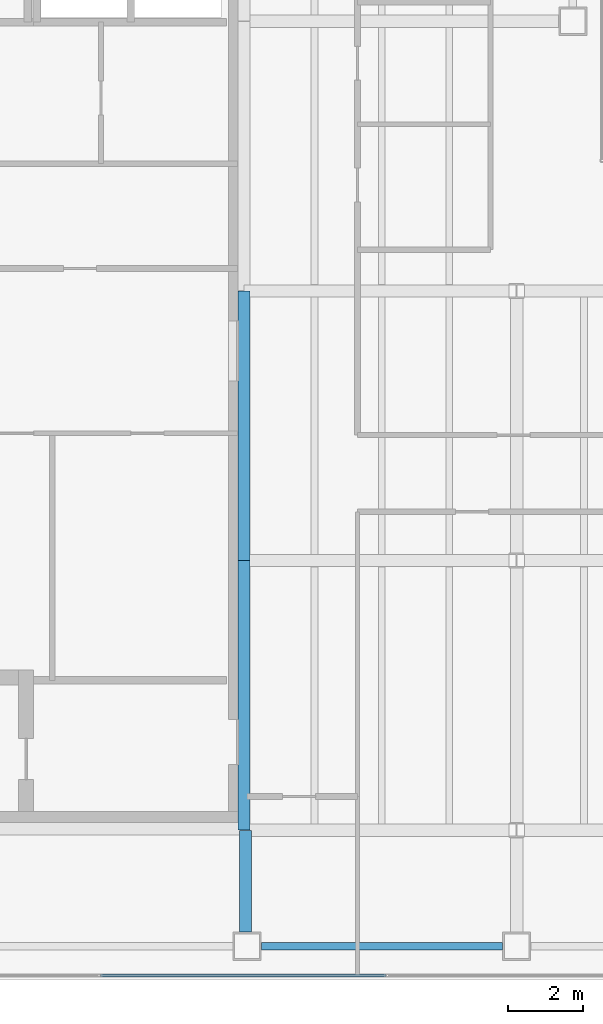
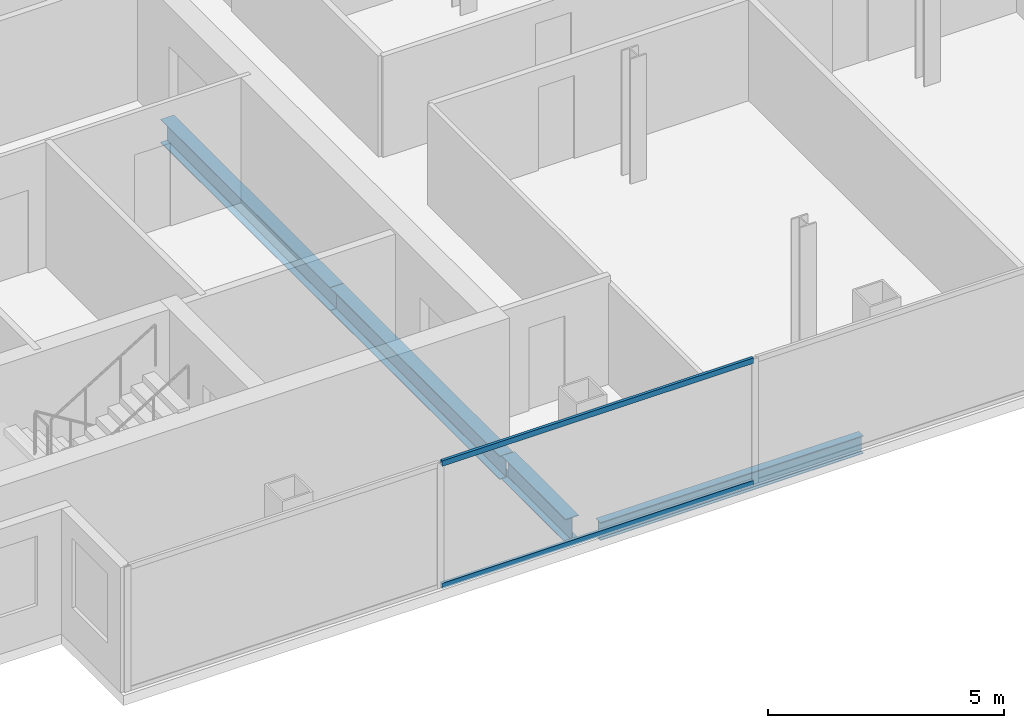
# One storey, part 3 of 23: 4 beams, 2 members, 1 element without a shape of its own.
"""IFC4 building model written with IfcOpenShell, lengths in metres."""

from ifc_helpers import new_model, si_unit, direction, frame, origin, origin_2d, place, context, subcontext, project, spatial, hollow_rectangle, i_section, extrude, material, material_profile, profile_set, type_object, element, aggregate, save


model = new_model("IFC4")

# Units and contexts
model_context = context("Model", 3, precision=1e-05, world=origin(), true_north=direction((0.0, 1.0)))
body_context = subcontext(model_context, "Body", "Model", "MODEL_VIEW")
ifc_project = project(units=[si_unit("LENGTHUNIT", "METRE"), si_unit("AREAUNIT", "SQUARE_METRE"), si_unit("VOLUMEUNIT", "CUBIC_METRE"), si_unit("PLANEANGLEUNIT", "RADIAN"), si_unit("MASSUNIT", "GRAM", prefix="KILO")], contexts=[model_context])

# Site, building, storey
site_placement = place(None, origin())
site = spatial("IfcSite", under=ifc_project, at=site_placement, CompositionType="ELEMENT")
building_placement = place(site_placement, origin())
building = spatial("IfcBuilding", under=site, at=building_placement, Name="Cobrela Telecom Tower", CompositionType="ELEMENT")
storey_placement = place(building_placement, frame((0.0, 0.0, 211.75)))
storey = spatial("IfcBuildingStorey", under=building, at=storey_placement, Name="L54", CompositionType="ELEMENT", Elevation=211.75)

# Beams
ifc_material_1 = material(Name="Steel ASTM A992 Grade 50", Category="steel")
ifc_material_profile_1 = material_profile(ifc_material_1, i_section(OverallWidth=0.324951171875, OverallDepth=0.612060546875, WebThickness=0.0126953125, FlangeThickness=0.01904296875, FilletRadius=0.014892578125, at=origin_2d()), Name="W24X104")
ifc_profile_set_1 = profile_set([ifc_material_profile_1], Name="Steel ASTM A992 Grade 50")
beam_type_1 = type_object("IfcBeamType", Name="BM-GIRD-07", PredefinedType="USERDEFINED", material=ifc_profile_set_1)
beam_1_placement = place(storey_placement, frame((14.360107421875, 4.47998046875, -0.56591796875), z_axis=(0.0, 1.0, 0.0), x_axis=(-1.0, 0.0, 0.0)))
element("IfcBeam", 1, at=beam_1_placement, inside=storey, type_object=beam_type_1, Name="L54 Primary Girder Y26", ObjectType="GIRDER", PredefinedType="USERDEFINED", context=body_context, shape_type="SweptSolid", body=[
    extrude(i_section(OverallWidth=0.324951171875, OverallDepth=0.612060546875, WebThickness=0.0126953125, FlangeThickness=0.01904296875, FilletRadius=0.014892578125, at=origin_2d()), origin(), (0.0, 0.0, 1.0), 2.715087890625),
])
for number, where, z_axis, x_axis, name in (
    (2, (14.320068359375, 7.205078125, -0.56591796875), (0.0, 1.0, 0.0), (-1.0, 0.0, 0.0), "L54 Primary Girder Y27"),
    (3, (14.320068359375, 14.405029296875, -0.56591796875), (0.0, 1.0, 0.0), (-1.0, 0.0, 0.0), "L54 Primary Girder Y28"),
):
    element("IfcBeam", number, at=place(storey_placement, frame(where, z_axis=z_axis, x_axis=x_axis)), inside=storey, type_object=beam_type_1, Name=name, ObjectType="GIRDER", PredefinedType="USERDEFINED", context=body_context, shape_type="SweptSolid", body=[
        extrude(i_section(OverallWidth=0.324951171875, OverallDepth=0.612060546875, WebThickness=0.0126953125, FlangeThickness=0.01904296875, FilletRadius=0.014892578125, at=origin_2d()), origin(), (0.0, 0.0, 1.0), 7.18994140625),
    ])
ifc_material_profile_2 = material_profile(ifc_material_1, i_section(OverallWidth=0.193115234375, OverallDepth=0.467041015625, WebThickness=0.011474609375, FlangeThickness=0.01904296875, FilletRadius=0.012939453125, at=origin_2d()), Name="W18X65")
ifc_profile_set_2 = profile_set([ifc_material_profile_2], Name="Steel ASTM A992 Grade 50")
beam_type_2 = type_object("IfcBeamType", Name="BM-SPAND-05", PredefinedType="SPANDREL", material=ifc_profile_set_2)
beam_2_placement = place(storey_placement, frame((14.780029296875, 4.10009765625, -0.493408203125), z_axis=(1.0, 0.0, 0.0), x_axis=(0.0, 1.0, 0.0)))
element("IfcBeam", 4, at=beam_2_placement, inside=storey, type_object=beam_type_2, Name="L54 Perimeter Spandrel X02", PredefinedType="SPANDREL", context=body_context, shape_type="SweptSolid", body=[
    extrude(i_section(OverallWidth=0.193115234375, OverallDepth=0.467041015625, WebThickness=0.011474609375, FlangeThickness=0.01904296875, FilletRadius=0.012939453125, at=origin_2d()), origin(), (0.0, 0.0, 1.0), 6.43994140625),
])

# Curtain wall, members
ifc_material_2 = material(Name="Anodized Bronze Aluminium 6063-T6", Category="aluminium")
curtain_wall_type = type_object("IfcCurtainWallType", Name="CW-SYS-OFF-LO", PredefinedType="USERDEFINED", material=ifc_material_2)
curtain_wall_placement = place(storey_placement, origin())
curtain_wall = element("IfcCurtainWall", 5, at=curtain_wall_placement, inside=storey, type_object=curtain_wall_type, Name="L54 Unitised Bronze Curtain Wall 17", ObjectType="UNITISED CURTAIN WALL", PredefinedType="USERDEFINED")
ifc_material_profile_3 = material_profile(ifc_material_2, hollow_rectangle(XDim=0.070068359375, YDim=0.139892578125, WallThickness=0.00390625, at=origin_2d()), Name="ALU 70x140x4")
ifc_profile_set_3 = profile_set([ifc_material_profile_3], Name="Anodized Bronze Aluminium 6063-T6")
member_type = type_object("IfcMemberType", Name="CW-SYS-OFF-LO-TRN", PredefinedType="USERDEFINED", material=ifc_profile_set_3)
member_1_placement = place(storey_placement, frame((18.114990234375, 3.320068359375, 0.034912109375), z_axis=(-1.0, 0.0, 0.0), x_axis=(0.0, -1.0, 0.0)))
member_1 = element("IfcMember", 6, at=member_1_placement, type_object=member_type, Name="CW-OFF-LO transom 4.1", ObjectType="TRANSOM", PredefinedType="USERDEFINED", context=body_context, shape_type="SweptSolid", body=[
    extrude(hollow_rectangle(XDim=0.070068359375, YDim=0.139892578125, WallThickness=0.00390625, at=origin_2d()), origin(), (0.0, 0.0, 1.0), 7.6298828125),
])
member_2_placement = place(storey_placement, frame((18.114990234375, 3.320068359375, 3.205078125), z_axis=(-1.0, 0.0, 0.0), x_axis=(0.0, -1.0, 0.0)))
member_2 = element("IfcMember", 7, at=member_2_placement, type_object=member_type, Name="CW-OFF-LO transom 4.2", ObjectType="TRANSOM", PredefinedType="USERDEFINED", context=body_context, shape_type="SweptSolid", body=[
    extrude(hollow_rectangle(XDim=0.070068359375, YDim=0.139892578125, WallThickness=0.00390625, at=origin_2d()), origin(), (0.0, 0.0, 1.0), 7.6298828125),
])
aggregate(curtain_wall, [member_1, member_2])

save(model, "model.ifc")
